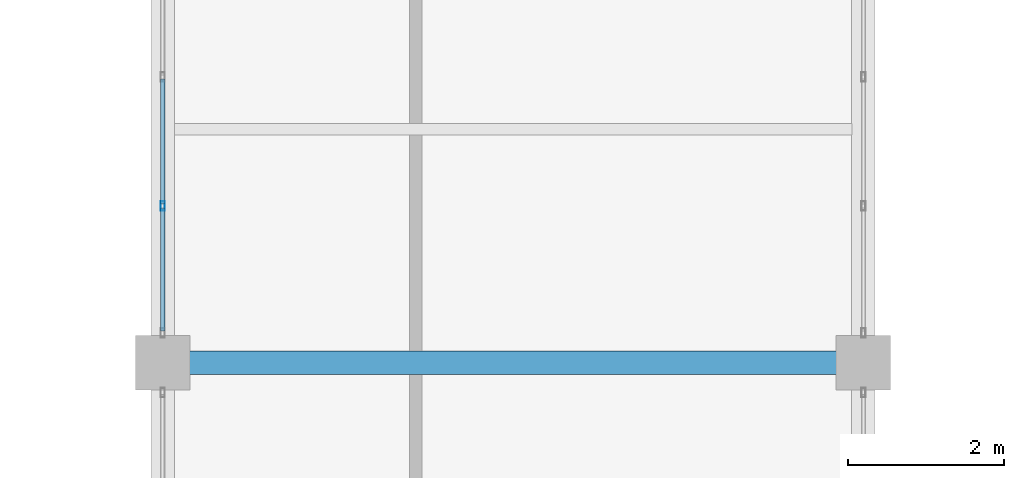
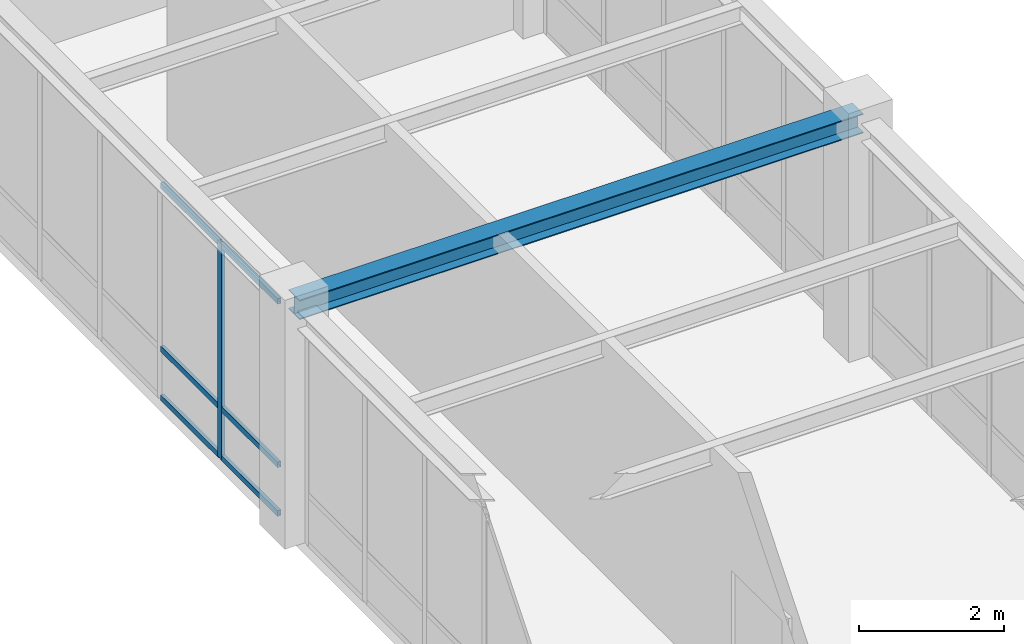
# One storey, part 38 of 108: 7 members, 1 beam, 1 element without a shape of its own.
"""IFC4 building model written with IfcOpenShell, lengths in metres."""

from ifc_helpers import new_model, si_unit, direction, frame, origin, origin_2d, place, context, subcontext, project, spatial, hollow_rectangle, i_section, extrude, material, material_profile, profile_set, type_object, element, aggregate, save


model = new_model("IFC4")

# Units and contexts
model_context = context("Model", 3, precision=1e-05, world=origin(), true_north=direction((0.0, 1.0)))
body_context = subcontext(model_context, "Body", "Model", "MODEL_VIEW")
ifc_project = project(units=[si_unit("LENGTHUNIT", "METRE"), si_unit("AREAUNIT", "SQUARE_METRE"), si_unit("VOLUMEUNIT", "CUBIC_METRE"), si_unit("PLANEANGLEUNIT", "RADIAN"), si_unit("MASSUNIT", "GRAM", prefix="KILO")], contexts=[model_context])

# Site, building, storey
site_placement = place(None, origin())
site = spatial("IfcSite", under=ifc_project, at=site_placement, CompositionType="ELEMENT")
building_placement = place(site_placement, origin())
building = spatial("IfcBuilding", under=site, at=building_placement, Name="Lykobir Media Centre", CompositionType="ELEMENT")
storey_placement = place(building_placement, frame((0.0, 0.0, 15.0)))
storey = spatial("IfcBuildingStorey", under=building, at=storey_placement, Name="L03", CompositionType="ELEMENT", Elevation=15.0)

# Beam
ifc_material_1 = material(Name="Steel S355", Category="steel")
ifc_material_profile_1 = material_profile(ifc_material_1, i_section(OverallWidth=0.300048828125, OverallDepth=0.330078125, WebThickness=0.009521484375, FlangeThickness=0.0166015625, at=origin_2d()), Name="HEA 340")
ifc_profile_set_1 = profile_set([ifc_material_profile_1], Name="Steel S355")
beam_type = type_object("IfcBeamType", Name="BM-HEA340", PredefinedType="BEAM", material=ifc_profile_set_1)
beam_placement = place(storey_placement, frame((27.0, 54.0, 3.794921875), z_axis=(1.0, 0.0, 0.0), x_axis=(0.0, 1.0, 0.0)))
element("IfcBeam", 1, at=beam_placement, inside=storey, type_object=beam_type, Name="Beam BM-L03-0270-0540-0360-0540-1880", PredefinedType="BEAM", context=body_context, shape_type="SweptSolid", body=[
    extrude(i_section(OverallWidth=0.300048828125, OverallDepth=0.330078125, WebThickness=0.009521484375, FlangeThickness=0.0166015625, at=origin_2d()), origin(), (0.0, 0.0, 1.0), 9.0),
])

# Curtain wall, members
ifc_material_2 = material(Name="Anodized Aluminium AW-6060", Category="aluminium")
curtain_wall_type = type_object("IfcCurtainWallType", Name="CW-COURT-B", PredefinedType="NOTDEFINED", material=ifc_material_2)
curtain_wall_placement = place(storey_placement, origin())
curtain_wall = element("IfcCurtainWall", 2, at=curtain_wall_placement, inside=storey, type_object=curtain_wall_type, Name="Curtain wall CW2-L03-0136", PredefinedType="NOTDEFINED")
ifc_material_profile_2 = material_profile(ifc_material_2, hollow_rectangle(XDim=0.054931640625, YDim=0.1201171875, WallThickness=0.003173828125, at=origin_2d()), Name="ALU MULLION 55x120")
ifc_profile_set_2 = profile_set([ifc_material_profile_2], Name="Anodized Aluminium AW-6060")
member_type_1 = type_object("IfcMemberType", Name="CWM-120", PredefinedType="MULLION", material=ifc_profile_set_2)
member_1_placement = place(storey_placement, frame((27.0, 56.012939453125, 0.0), z_axis=(0.0, 0.0, 1.0), x_axis=(-1.0, 0.0, 0.0)))
member_1 = element("IfcMember", 3, at=member_1_placement, type_object=member_type_1, Name="CW2-L03-0136 mullion 2", PredefinedType="MULLION", context=body_context, shape_type="SweptSolid", body=[
    extrude(hollow_rectangle(XDim=0.054931640625, YDim=0.1201171875, WallThickness=0.003173828125, at=origin_2d()), origin(), (0.0, 0.0, 1.0), 3.635009765625),
])
ifc_material_profile_3 = material_profile(ifc_material_2, hollow_rectangle(XDim=0.054931640625, YDim=0.094970703125, WallThickness=0.0029296875, at=origin_2d()), Name="ALU TRANSOM 55x95")
ifc_profile_set_3 = profile_set([ifc_material_profile_3], Name="Anodized Aluminium AW-6060")
member_type_2 = type_object("IfcMemberType", Name="CWT-095", PredefinedType="USERDEFINED", material=ifc_profile_set_3)
member_2_placement = place(storey_placement, frame((27.0, 54.409912109375, 0.027587890625), z_axis=(0.0, 1.0, 0.0), x_axis=(-1.0, 0.0, 0.0)))
member_2 = element("IfcMember", 4, at=member_2_placement, type_object=member_type_2, Name="CW2-L03-0136 transom 1.1", ObjectType="TRANSOM", PredefinedType="USERDEFINED", context=body_context, shape_type="SweptSolid", body=[
    extrude(hollow_rectangle(XDim=0.054931640625, YDim=0.094970703125, WallThickness=0.0029296875, at=origin_2d()), origin(), (0.0, 0.0, 1.0), 1.57568359375),
])
member_3_placement = place(storey_placement, frame((27.0, 54.409912109375, 0.85009765625), z_axis=(0.0, 1.0, 0.0), x_axis=(-1.0, 0.0, 0.0)))
member_3 = element("IfcMember", 5, at=member_3_placement, type_object=member_type_2, Name="CW2-L03-0136 transom 1.2", ObjectType="TRANSOM", PredefinedType="USERDEFINED", context=body_context, shape_type="SweptSolid", body=[
    extrude(hollow_rectangle(XDim=0.054931640625, YDim=0.094970703125, WallThickness=0.0029296875, at=origin_2d()), origin(), (0.0, 0.0, 1.0), 1.57568359375),
])
member_4_placement = place(storey_placement, frame((27.0, 54.409912109375, 3.607421875), z_axis=(0.0, 1.0, 0.0), x_axis=(-1.0, 0.0, 0.0)))
member_4 = element("IfcMember", 6, at=member_4_placement, type_object=member_type_2, Name="CW2-L03-0136 transom 1.3", ObjectType="TRANSOM", PredefinedType="USERDEFINED", context=body_context, shape_type="SweptSolid", body=[
    extrude(hollow_rectangle(XDim=0.054931640625, YDim=0.094970703125, WallThickness=0.0029296875, at=origin_2d()), origin(), (0.0, 0.0, 1.0), 1.57568359375),
])
member_5_placement = place(storey_placement, frame((27.0, 56.04052734375, 0.027587890625), z_axis=(0.0, 1.0, 0.0), x_axis=(-1.0, 0.0, 0.0)))
member_5 = element("IfcMember", 7, at=member_5_placement, type_object=member_type_2, Name="CW2-L03-0136 transom 2.1", ObjectType="TRANSOM", PredefinedType="USERDEFINED", context=body_context, shape_type="SweptSolid", body=[
    extrude(hollow_rectangle(XDim=0.054931640625, YDim=0.094970703125, WallThickness=0.0029296875, at=origin_2d()), origin(), (0.0, 0.0, 1.0), 1.60302734375),
])
member_6_placement = place(storey_placement, frame((27.0, 56.04052734375, 0.85009765625), z_axis=(0.0, 1.0, 0.0), x_axis=(-1.0, 0.0, 0.0)))
member_6 = element("IfcMember", 8, at=member_6_placement, type_object=member_type_2, Name="CW2-L03-0136 transom 2.2", ObjectType="TRANSOM", PredefinedType="USERDEFINED", context=body_context, shape_type="SweptSolid", body=[
    extrude(hollow_rectangle(XDim=0.054931640625, YDim=0.094970703125, WallThickness=0.0029296875, at=origin_2d()), origin(), (0.0, 0.0, 1.0), 1.60302734375),
])
member_7_placement = place(storey_placement, frame((27.0, 56.04052734375, 3.607421875), z_axis=(0.0, 1.0, 0.0), x_axis=(-1.0, 0.0, 0.0)))
member_7 = element("IfcMember", 9, at=member_7_placement, type_object=member_type_2, Name="CW2-L03-0136 transom 2.3", ObjectType="TRANSOM", PredefinedType="USERDEFINED", context=body_context, shape_type="SweptSolid", body=[
    extrude(hollow_rectangle(XDim=0.054931640625, YDim=0.094970703125, WallThickness=0.0029296875, at=origin_2d()), origin(), (0.0, 0.0, 1.0), 1.60302734375),
])
aggregate(curtain_wall, [member_1, member_2, member_3, member_4, member_5, member_6, member_7])

save(model, "model.ifc")
